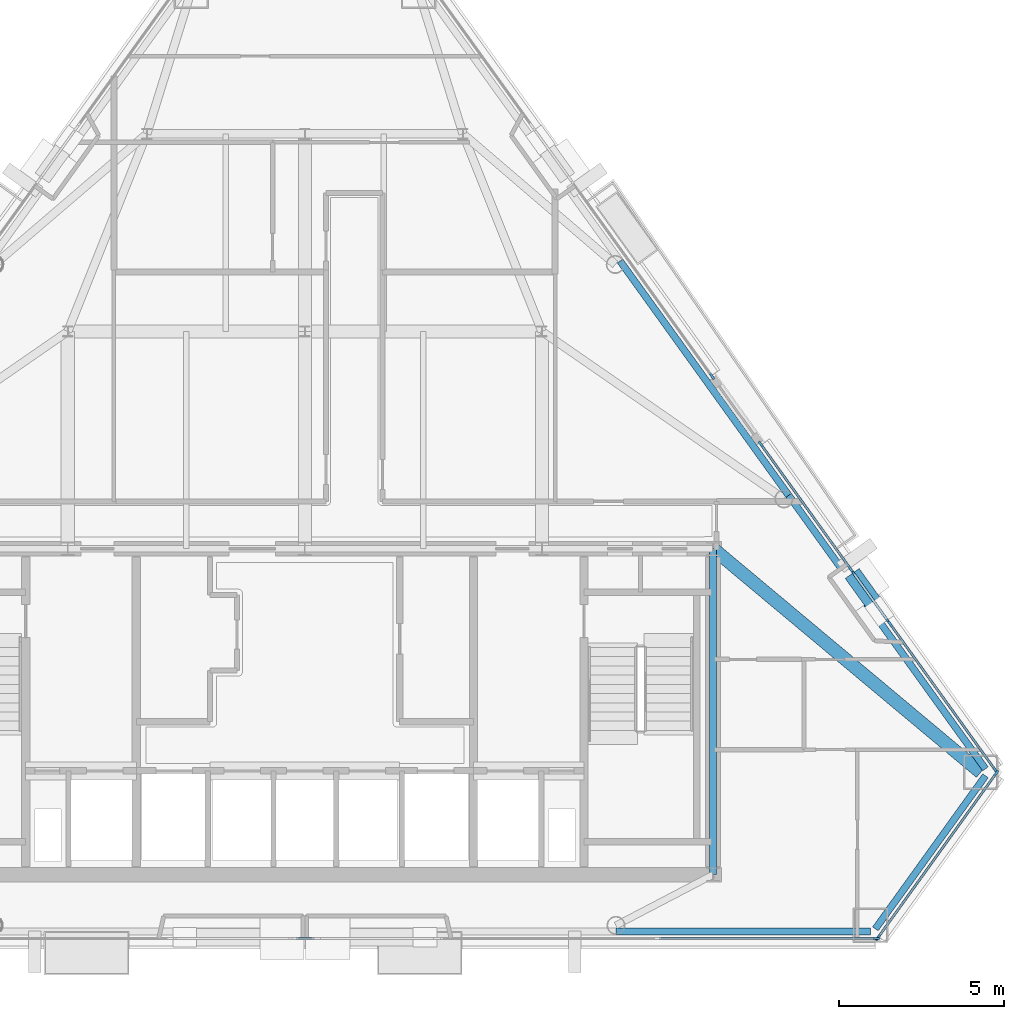
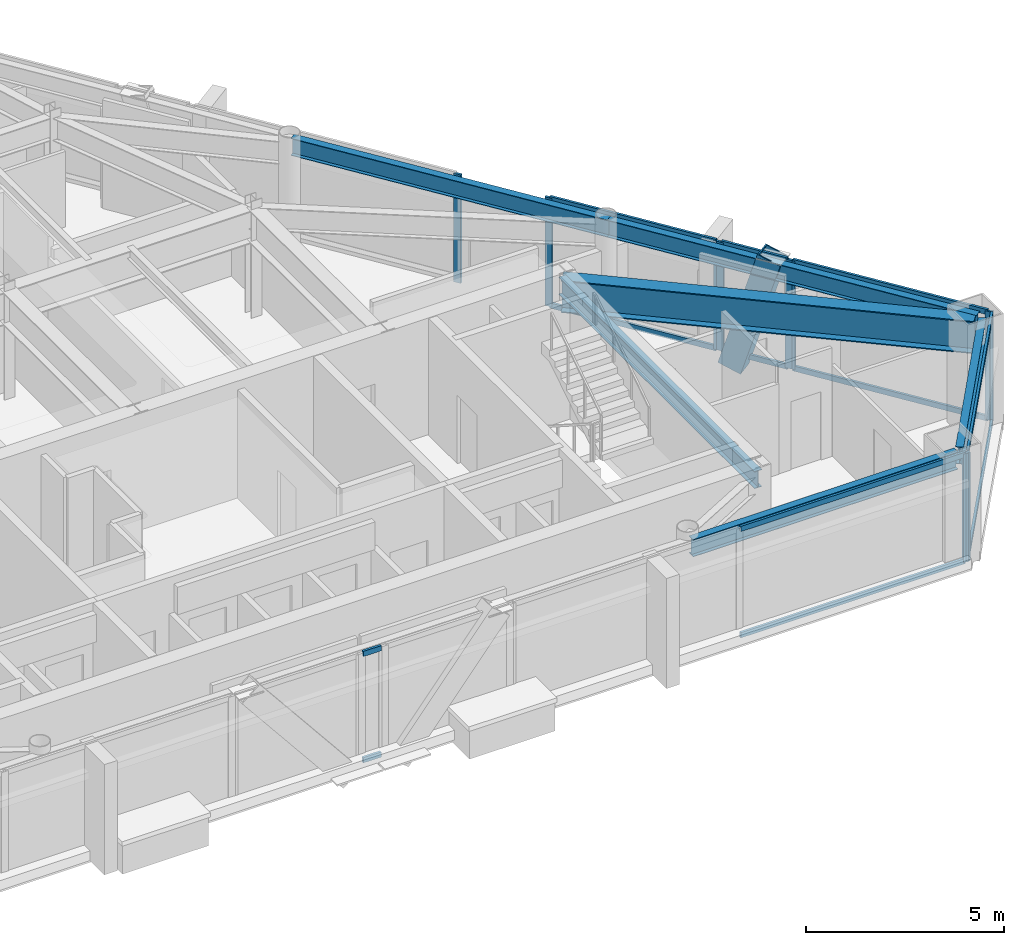
# One storey, part 5 of 12: 23 members, 6 beams, 7 elements without a shape of their own.
"""IFC4 building model written with IfcOpenShell, lengths in metres."""

from ifc_helpers import new_model, si_unit, direction, frame, origin, origin_2d, place, context, subcontext, project, spatial, rectangle, hollow_rectangle, i_section, extrude, material, layer, layer_set, material_profile, profile_set, type_object, element, aggregate, save


model = new_model("IFC4")

# Units and contexts
model_context = context("Model", 3, precision=1e-05, world=origin(), true_north=direction((0.0, 1.0)))
body_context = subcontext(model_context, "Body", "Model", "MODEL_VIEW")
ifc_project = project(units=[si_unit("LENGTHUNIT", "METRE"), si_unit("AREAUNIT", "SQUARE_METRE"), si_unit("VOLUMEUNIT", "CUBIC_METRE"), si_unit("PLANEANGLEUNIT", "RADIAN"), si_unit("MASSUNIT", "GRAM", prefix="KILO")], contexts=[model_context])

# Site, building, storey
site_placement = place(None, origin())
site = spatial("IfcSite", under=ifc_project, at=site_placement, CompositionType="ELEMENT")
building_placement = place(site_placement, origin())
building = spatial("IfcBuilding", under=site, at=building_placement, Name="Talgorran Terracotta Tower", CompositionType="ELEMENT")
storey_placement = place(building_placement, frame((0.0, 0.0, 189.300048828125)))
storey = spatial("IfcBuildingStorey", under=building, at=storey_placement, Name="L49", CompositionType="ELEMENT", Elevation=189.300048828125)

# Beams
ifc_material_1 = material(Name="Steel Grade 350 (350L0)", Category="steel")
ifc_material_profile_1 = material_profile(ifc_material_1, i_section(OverallWidth=0.39990234375, OverallDepth=1.0, WebThickness=0.01611328125, FlangeThickness=0.031005859375, at=origin_2d()), Name="1000WB296")
ifc_profile_set_1 = profile_set([ifc_material_profile_1], Name="Steel Grade 350 (350L0)")
beam_type_1 = type_object("IfcBeamType", Name="BM_1000WB296", PredefinedType="BEAM", material=ifc_profile_set_1)
beam_1_placement = place(storey_placement, frame((12.39990234375, -4.199951171875, 2.849853515625), z_axis=(0.767197947413, -0.641410406436, 0.0), x_axis=(0.641410406436, 0.767197947413, 0.0)))
element("IfcBeam", 1, at=beam_1_placement, inside=storey, type_object=beam_type_1, Name="L49 Floor Girder G18", PredefinedType="BEAM", context=body_context, shape_type="SweptSolid", body=[
    extrude(i_section(OverallWidth=0.39990234375, OverallDepth=1.0, WebThickness=0.01611328125, FlangeThickness=0.031005859375, at=origin_2d()), origin(), (0.0, 0.0, 1.0), 10.589599609375),
])
ifc_material_2 = material(Name="Steel S355 (300PLUS)", Category="steel")
ifc_material_profile_2 = material_profile(ifc_material_2, i_section(OverallWidth=0.209228515625, OverallDepth=0.532958984375, WebThickness=0.01025390625, FlangeThickness=0.015625, at=origin_2d()), Name="530UB92.4")
ifc_profile_set_2 = profile_set([ifc_material_profile_2], Name="Steel S355 (300PLUS)")
beam_type_2 = type_object("IfcBeamType", Name="BM_SP_530UB92", PredefinedType="SPANDREL", material=ifc_profile_set_2)
beam_2_placement = place(storey_placement, frame((9.44873046875, -15.821044921875, 3.08349609375), z_axis=(1.0, 0.0, 0.0), x_axis=(0.0, 1.0, 0.0)))
element("IfcBeam", 2, at=beam_2_placement, inside=storey, type_object=beam_type_2, Name="L49 Perimeter Spandrel Beam FC2-MC3", PredefinedType="SPANDREL", context=body_context, shape_type="SweptSolid", body=[
    extrude(i_section(OverallWidth=0.209228515625, OverallDepth=0.532958984375, WebThickness=0.01025390625, FlangeThickness=0.015625, at=origin_2d()), origin(), (0.0, 0.0, 1.0), 7.73095703125),
])
beam_3_placement = place(storey_placement, frame((17.32568359375, -15.74609375, 3.08349609375), z_axis=(0.583989111458, 0.811761490648, 0.0), x_axis=(-0.811761490648, 0.583989111458, 0.0)))
element("IfcBeam", 3, at=beam_3_placement, inside=storey, type_object=beam_type_2, Name="L49 Perimeter Spandrel Beam MC3-MC4", PredefinedType="SPANDREL", context=body_context, shape_type="SweptSolid", body=[
    extrude(i_section(OverallWidth=0.209228515625, OverallDepth=0.532958984375, WebThickness=0.01025390625, FlangeThickness=0.015625, at=origin_2d()), origin(), (0.0, 0.0, 1.0), 5.72705078125),
])
beam_4_placement = place(storey_placement, frame((20.670166015625, -10.886962890625, 3.08349609375), z_axis=(-0.583984097587, 0.811765097651, 0.0), x_axis=(-0.811765097651, -0.583984097587, 0.0)))
element("IfcBeam", 4, at=beam_4_placement, inside=storey, type_object=beam_type_2, Name="L49 Perimeter Spandrel Beam MC4-FC3", PredefinedType="SPANDREL", context=body_context, shape_type="SweptSolid", body=[
    extrude(i_section(OverallWidth=0.209228515625, OverallDepth=0.532958984375, WebThickness=0.01025390625, FlangeThickness=0.015625, at=origin_2d()), origin(), (0.0, 0.0, 1.0), 10.231689453125),
])
beam_5_placement = place(storey_placement, frame((14.695068359375, -2.581298828125, 3.08349609375), z_axis=(-0.583976142064, 0.811770820799, 0.0), x_axis=(-0.811770820799, -0.583976142064, 0.0)))
element("IfcBeam", 5, at=beam_5_placement, inside=storey, type_object=beam_type_2, Name="L49 Perimeter Spandrel Beam FC3-FC4", PredefinedType="SPANDREL", context=body_context, shape_type="SweptSolid", body=[
    extrude(i_section(OverallWidth=0.209228515625, OverallDepth=0.532958984375, WebThickness=0.01025390625, FlangeThickness=0.015625, at=origin_2d()), origin(), (0.0, 0.0, 1.0), 8.770263671875),
])
beam_6_placement = place(storey_placement, frame((12.39990234375, -14.10009765625, 3.08349609375), z_axis=(0.0, 1.0, 0.0), x_axis=(-1.0, 0.0, 0.0)))
element("IfcBeam", 6, at=beam_6_placement, inside=storey, type_object=beam_type_2, Name="L49 Core Frame Beam CFE", PredefinedType="SPANDREL", context=body_context, shape_type="SweptSolid", body=[
    extrude(i_section(OverallWidth=0.209228515625, OverallDepth=0.532958984375, WebThickness=0.01025390625, FlangeThickness=0.015625, at=origin_2d()), origin(), (0.0, 0.0, 1.0), 9.900146484375),
])

# Member
ifc_material_profile_3 = material_profile(ifc_material_1, hollow_rectangle(XDim=0.52001953125, YDim=0.659912109375, WallThickness=0.034912109375, at=origin_2d()), Name="WBOX660X520X35")
ifc_profile_set_3 = profile_set([ifc_material_profile_3], Name="Steel Grade 350 (350L0)")
member_type_1 = type_object("IfcMemberType", Name="MB_MEGA_660", PredefinedType="BRACE", material=ifc_profile_set_3)
member_1_placement = place(storey_placement, frame((16.80810546875, -5.210205078125, -0.27001953125), z_axis=(0.168475048802, -0.234146327817, 0.957492378612), x_axis=(0.811715631189, 0.584052852132, 0.0)))
element("IfcMember", 7, at=member_1_placement, inside=storey, type_object=member_type_1, Name="L49 Exterior Face Mega-Brace MB-3 (NEL)", PredefinedType="BRACE", context=body_context, shape_type="SweptSolid", body=[
    extrude(hollow_rectangle(XDim=0.52001953125, YDim=0.659912109375, WallThickness=0.034912109375, at=origin_2d()), origin(), (0.0, 0.0, 1.0), 3.806884765625),
])

# Curtain wall, member
ifc_material_3 = material(Name="High-Wind Unitised Glazing", Category="glass")
ifc_layer = layer(ifc_material_3, 0.2099609375, Name="CW_SYS3_RES_HIGH")
ifc_layer_set = layer_set([ifc_layer], Name="High-Wind Unitised Glazing")
curtain_wall_type = type_object("IfcCurtainWallType", Name="CW_SYS3_RES_HIGH", PredefinedType="NOTDEFINED", material=ifc_layer_set)
curtain_wall_1_placement = place(storey_placement, origin())
curtain_wall_1 = element("IfcCurtainWall", 8, at=curtain_wall_1_placement, inside=storey, type_object=curtain_wall_type, Name="CW-L49-F1E", PredefinedType="NOTDEFINED")
ifc_material_4 = material(Name="Architectural Aluminium 6063-T6", Category="aluminium")
ifc_material_profile_4 = material_profile(ifc_material_4, rectangle(XDim=0.070068359375, YDim=0.199951171875, at=origin_2d()), Name="CWM70X200")
ifc_profile_set_4 = profile_set([ifc_material_profile_4], Name="Architectural Aluminium 6063-T6")
member_type_2 = type_object("IfcMemberType", Name="MUL_70X200", PredefinedType="MULLION", material=ifc_profile_set_4)
member_2_placement = place(storey_placement, frame((17.349609375, -16.041015625, 0.0), z_axis=(0.0, 0.0, 1.0), x_axis=(0.0, 1.0, 0.0)))
member_2 = element("IfcMember", 9, at=member_2_placement, type_object=member_type_2, Name="CW-L49-1E mullion 3", PredefinedType="MULLION", context=body_context, shape_type="SweptSolid", body=[
    extrude(rectangle(XDim=0.070068359375, YDim=0.199951171875, at=origin_2d()), origin(), (0.0, 0.0, 1.0), 3.349853515625),
])

# Curtain wall, members
curtain_wall_2_placement = place(storey_placement, origin())
curtain_wall_2 = element("IfcCurtainWall", 10, at=curtain_wall_2_placement, inside=storey, type_object=curtain_wall_type, Name="CW-L49-F2", PredefinedType="NOTDEFINED")
member_3_placement = place(storey_placement, frame((17.405029296875, -16.0126953125, 0.0), z_axis=(0.0, 0.0, 1.0), x_axis=(-0.811769090011, 0.583978547982, 0.0)))
member_3 = element("IfcMember", 11, at=member_3_placement, type_object=member_type_2, Name="CW-L49-2 mullion 1", PredefinedType="MULLION", context=body_context, shape_type="SweptSolid", body=[
    extrude(rectangle(XDim=0.070068359375, YDim=0.199951171875, at=origin_2d()), origin(), (0.0, 0.0, 1.0), 3.349853515625),
])
member_4_placement = place(storey_placement, frame((20.99658203125, -11.0205078125, 0.0), z_axis=(0.0, 0.0, 1.0), x_axis=(-0.811769090011, 0.583978547982, 0.0)))
member_4 = element("IfcMember", 12, at=member_4_placement, type_object=member_type_2, Name="CW-L49-2 mullion 2", PredefinedType="MULLION", context=body_context, shape_type="SweptSolid", body=[
    extrude(rectangle(XDim=0.070068359375, YDim=0.199951171875, at=origin_2d()), origin(), (0.0, 0.0, 1.0), 3.349853515625),
])

curtain_wall_3_placement = place(storey_placement, origin())
curtain_wall_3 = element("IfcCurtainWall", 13, at=curtain_wall_3_placement, inside=storey, type_object=curtain_wall_type, Name="CW-L49-F40", PredefinedType="NOTDEFINED")
member_5_placement = place(storey_placement, frame((20.97314453125, -10.93115234375, 0.0), z_axis=(0.0, 0.0, 1.0), x_axis=(-0.811763574008, -0.583986215516, 0.0)))
member_5 = element("IfcMember", 14, at=member_5_placement, type_object=member_type_2, Name="CW-L49-40 mullion 1", PredefinedType="MULLION", context=body_context, shape_type="SweptSolid", body=[
    extrude(rectangle(XDim=0.070068359375, YDim=0.199951171875, at=origin_2d()), origin(), (0.0, 0.0, 1.0), 3.349853515625),
])
member_6_placement = place(storey_placement, frame((17.77734375, -6.489013671875, 0.0), z_axis=(0.0, 0.0, 1.0), x_axis=(-0.811763574008, -0.583986215516, 0.0)))
member_6 = element("IfcMember", 15, at=member_6_placement, type_object=member_type_2, Name="CW-L49-40 mullion 2", PredefinedType="MULLION", context=body_context, shape_type="SweptSolid", body=[
    extrude(rectangle(XDim=0.070068359375, YDim=0.199951171875, at=origin_2d()), origin(), (0.0, 0.0, 1.0), 3.349853515625),
])

curtain_wall_4_placement = place(storey_placement, origin())
curtain_wall_4 = element("IfcCurtainWall", 16, at=curtain_wall_4_placement, inside=storey, type_object=curtain_wall_type, Name="CW-L49-F40B", PredefinedType="NOTDEFINED")
member_7_placement = place(storey_placement, frame((17.73046875, -6.424072265625, 0.0), z_axis=(0.0, 0.0, 1.0), x_axis=(-0.811784944481, -0.583956508581, 0.0)))
member_7 = element("IfcMember", 17, at=member_7_placement, type_object=member_type_2, Name="CW-L49-40B mullion 1", PredefinedType="MULLION", context=body_context, shape_type="SweptSolid", body=[
    extrude(rectangle(XDim=0.070068359375, YDim=0.199951171875, at=origin_2d()), origin(), (0.0, 0.0, 1.0), 3.349853515625),
])
member_8_placement = place(storey_placement, frame((16.62255859375, -4.884033203125, 0.0), z_axis=(0.0, 0.0, 1.0), x_axis=(-0.811784944481, -0.583956508581, 0.0)))
member_8 = element("IfcMember", 18, at=member_8_placement, type_object=member_type_2, Name="CW-L49-40B mullion 2", PredefinedType="MULLION", context=body_context, shape_type="SweptSolid", body=[
    extrude(rectangle(XDim=0.070068359375, YDim=0.199951171875, at=origin_2d()), origin(), (0.0, 0.0, 1.0), 3.349853515625),
])

curtain_wall_5_placement = place(storey_placement, origin())
curtain_wall_5 = element("IfcCurtainWall", 19, at=curtain_wall_5_placement, inside=storey, type_object=curtain_wall_type, Name="CW-L49-F40C", PredefinedType="NOTDEFINED")
member_9_placement = place(storey_placement, frame((16.575927734375, -4.819091796875, 0.0), z_axis=(0.0, 0.0, 1.0), x_axis=(-0.811759701235, -0.583991598785, 0.0)))
member_9 = element("IfcMember", 20, at=member_9_placement, type_object=member_type_2, Name="CW-L49-40C mullion 1", PredefinedType="MULLION", context=body_context, shape_type="SweptSolid", body=[
    extrude(rectangle(XDim=0.070068359375, YDim=0.199951171875, at=origin_2d()), origin(), (0.0, 0.0, 1.0), 3.349853515625),
])
member_10_placement = place(storey_placement, frame((13.845458984375, -1.0234375, 0.0), z_axis=(0.0, 0.0, 1.0), x_axis=(-0.811759701235, -0.583991598785, 0.0)))
member_10 = element("IfcMember", 21, at=member_10_placement, type_object=member_type_2, Name="CW-L49-40C mullion 2", PredefinedType="MULLION", context=body_context, shape_type="SweptSolid", body=[
    extrude(rectangle(XDim=0.070068359375, YDim=0.199951171875, at=origin_2d()), origin(), (0.0, 0.0, 1.0), 3.349853515625),
])

# Curtain wall, member
curtain_wall_6_placement = place(storey_placement, origin())
curtain_wall_6 = element("IfcCurtainWall", 22, at=curtain_wall_6_placement, inside=storey, type_object=curtain_wall_type, Name="CW-L49-F41", PredefinedType="NOTDEFINED")
member_11_placement = place(storey_placement, frame((12.367919921875, 1.0302734375, 0.0), z_axis=(0.0, 0.0, 1.0), x_axis=(-0.811765788921, -0.58398313669, 0.0)))
member_11 = element("IfcMember", 23, at=member_11_placement, type_object=member_type_2, Name="CW-L49-41 mullion 1", PredefinedType="MULLION", context=body_context, shape_type="SweptSolid", body=[
    extrude(rectangle(XDim=0.070068359375, YDim=0.199951171875, at=origin_2d()), origin(), (0.0, 0.0, 1.0), 3.349853515625),
])
aggregate(curtain_wall_6, [member_11])

# Curtain wall, members
curtain_wall_7_placement = place(storey_placement, origin())
curtain_wall_7 = element("IfcCurtainWall", 24, at=curtain_wall_7_placement, inside=storey, type_object=curtain_wall_type, Name="CW-L49-F1C", PredefinedType="NOTDEFINED")
ifc_material_profile_5 = material_profile(ifc_material_4, rectangle(XDim=0.070068359375, YDim=0.159912109375, at=origin_2d()), Name="CWT70X160")
ifc_profile_set_5 = profile_set([ifc_material_profile_5], Name="Architectural Aluminium 6063-T6")
member_type_3 = type_object("IfcMemberType", Name="TRN_70X160", PredefinedType="USERDEFINED", material=ifc_profile_set_5)
member_12_placement = place(storey_placement, frame((-0.263671875, -16.041015625, 0.034912109375), z_axis=(1.0, 0.0, 0.0), x_axis=(0.0, 1.0, 0.0)))
member_12 = element("IfcMember", 25, at=member_12_placement, type_object=member_type_3, Name="CW-L49-1C transom 1.1", ObjectType="TRANSOM", PredefinedType="USERDEFINED", context=body_context, shape_type="SweptSolid", body=[
    extrude(rectangle(XDim=0.070068359375, YDim=0.159912109375, at=origin_2d()), origin(), (0.0, 0.0, 1.0), 0.52734375),
])
member_13_placement = place(storey_placement, frame((-0.263671875, -16.041015625, 3.31494140625), z_axis=(1.0, 0.0, 0.0), x_axis=(0.0, 1.0, 0.0)))
member_13 = element("IfcMember", 26, at=member_13_placement, type_object=member_type_3, Name="CW-L49-1C transom 1.2", ObjectType="TRANSOM", PredefinedType="USERDEFINED", context=body_context, shape_type="SweptSolid", body=[
    extrude(rectangle(XDim=0.070068359375, YDim=0.159912109375, at=origin_2d()), origin(), (0.0, 0.0, 1.0), 0.52734375),
])
aggregate(curtain_wall_7, [member_12, member_13])

# Member
member_14_placement = place(storey_placement, frame((10.75634765625, -16.041015625, 0.034912109375), z_axis=(1.0, 0.0, 0.0), x_axis=(0.0, 1.0, 0.0)))
member_14 = element("IfcMember", 27, at=member_14_placement, type_object=member_type_3, Name="CW-L49-1E transom 2.1", ObjectType="TRANSOM", PredefinedType="USERDEFINED", context=body_context, shape_type="SweptSolid", body=[
    extrude(rectangle(XDim=0.070068359375, YDim=0.159912109375, at=origin_2d()), origin(), (0.0, 0.0, 1.0), 6.558349609375),
])

member_15_placement = place(storey_placement, frame((10.75634765625, -16.041015625, 3.31494140625), z_axis=(1.0, 0.0, 0.0), x_axis=(0.0, 1.0, 0.0)))
member_15 = element("IfcMember", 28, at=member_15_placement, type_object=member_type_3, Name="CW-L49-1E transom 2.2", ObjectType="TRANSOM", PredefinedType="USERDEFINED", context=body_context, shape_type="SweptSolid", body=[
    extrude(rectangle(XDim=0.070068359375, YDim=0.159912109375, at=origin_2d()), origin(), (0.0, 0.0, 1.0), 6.558349609375),
])

aggregate(curtain_wall_1, [member_2, member_14, member_15])

member_16_placement = place(storey_placement, frame((17.425537109375, -15.984375, 0.034912109375), z_axis=(0.583973578627, 0.811772664892, 0.0), x_axis=(-0.811772664892, 0.583973578627, 0.0)))
member_16 = element("IfcMember", 29, at=member_16_placement, type_object=member_type_3, Name="CW-L49-2 transom 1.1", ObjectType="TRANSOM", PredefinedType="USERDEFINED", context=body_context, shape_type="SweptSolid", body=[
    extrude(rectangle(XDim=0.070068359375, YDim=0.159912109375, at=origin_2d()), origin(), (0.0, 0.0, 1.0), 6.080078125),
])

member_17_placement = place(storey_placement, frame((17.425537109375, -15.984375, 3.31494140625), z_axis=(0.583973578627, 0.811772664892, 0.0), x_axis=(-0.811772664892, 0.583973578627, 0.0)))
member_17 = element("IfcMember", 30, at=member_17_placement, type_object=member_type_3, Name="CW-L49-2 transom 1.2", ObjectType="TRANSOM", PredefinedType="USERDEFINED", context=body_context, shape_type="SweptSolid", body=[
    extrude(rectangle(XDim=0.070068359375, YDim=0.159912109375, at=origin_2d()), origin(), (0.0, 0.0, 1.0), 6.080078125),
])

aggregate(curtain_wall_2, [member_3, member_4, member_16, member_17])

member_18_placement = place(storey_placement, frame((20.95263671875, -10.90283203125, 0.034912109375), z_axis=(-0.583966571074, 0.811777705944, 0.0), x_axis=(-0.811777705944, -0.583966571074, 0.0)))
member_18 = element("IfcMember", 31, at=member_18_placement, type_object=member_type_3, Name="CW-L49-40 transom 1.1", ObjectType="TRANSOM", PredefinedType="USERDEFINED", context=body_context, shape_type="SweptSolid", body=[
    extrude(rectangle(XDim=0.070068359375, YDim=0.159912109375, at=origin_2d()), origin(), (0.0, 0.0, 1.0), 5.40234375),
])

member_19_placement = place(storey_placement, frame((20.95263671875, -10.90283203125, 3.31494140625), z_axis=(-0.583966571074, 0.811777705944, 0.0), x_axis=(-0.811777705944, -0.583966571074, 0.0)))
member_19 = element("IfcMember", 32, at=member_19_placement, type_object=member_type_3, Name="CW-L49-40 transom 1.2", ObjectType="TRANSOM", PredefinedType="USERDEFINED", context=body_context, shape_type="SweptSolid", body=[
    extrude(rectangle(XDim=0.070068359375, YDim=0.159912109375, at=origin_2d()), origin(), (0.0, 0.0, 1.0), 5.40234375),
])

aggregate(curtain_wall_3, [member_5, member_6, member_18, member_19])

member_20_placement = place(storey_placement, frame((17.710205078125, -6.395751953125, 0.034912109375), z_axis=(-0.583977358766, 0.811769945519, 0.0), x_axis=(-0.811769945519, -0.583977358766, 0.0)))
member_20 = element("IfcMember", 33, at=member_20_placement, type_object=member_type_3, Name="CW-L49-40B transom 1.1", ObjectType="TRANSOM", PredefinedType="USERDEFINED", context=body_context, shape_type="SweptSolid", body=[
    extrude(rectangle(XDim=0.070068359375, YDim=0.159912109375, at=origin_2d()), origin(), (0.0, 0.0, 1.0), 1.827392578125),
])

member_21_placement = place(storey_placement, frame((17.710205078125, -6.395751953125, 3.31494140625), z_axis=(-0.583977358766, 0.811769945519, 0.0), x_axis=(-0.811769945519, -0.583977358766, 0.0)))
member_21 = element("IfcMember", 34, at=member_21_placement, type_object=member_type_3, Name="CW-L49-40B transom 1.2", ObjectType="TRANSOM", PredefinedType="USERDEFINED", context=body_context, shape_type="SweptSolid", body=[
    extrude(rectangle(XDim=0.070068359375, YDim=0.159912109375, at=origin_2d()), origin(), (0.0, 0.0, 1.0), 1.827392578125),
])

aggregate(curtain_wall_4, [member_7, member_8, member_20, member_21])

member_22_placement = place(storey_placement, frame((16.555419921875, -4.79052734375, 0.034912109375), z_axis=(-0.583977893458, 0.811769560868, 0.0), x_axis=(-0.811769560868, -0.583977893458, 0.0)))
member_22 = element("IfcMember", 35, at=member_22_placement, type_object=member_type_3, Name="CW-L49-40C transom 1.1", ObjectType="TRANSOM", PredefinedType="USERDEFINED", context=body_context, shape_type="SweptSolid", body=[
    extrude(rectangle(XDim=0.070068359375, YDim=0.159912109375, at=origin_2d()), origin(), (0.0, 0.0, 1.0), 4.60546875),
])

member_23_placement = place(storey_placement, frame((16.555419921875, -4.79052734375, 3.31494140625), z_axis=(-0.583977893458, 0.811769560868, 0.0), x_axis=(-0.811769560868, -0.583977893458, 0.0)))
member_23 = element("IfcMember", 36, at=member_23_placement, type_object=member_type_3, Name="CW-L49-40C transom 1.2", ObjectType="TRANSOM", PredefinedType="USERDEFINED", context=body_context, shape_type="SweptSolid", body=[
    extrude(rectangle(XDim=0.070068359375, YDim=0.159912109375, at=origin_2d()), origin(), (0.0, 0.0, 1.0), 4.60546875),
])

aggregate(curtain_wall_5, [member_9, member_10, member_22, member_23])

save(model, "model.ifc")
